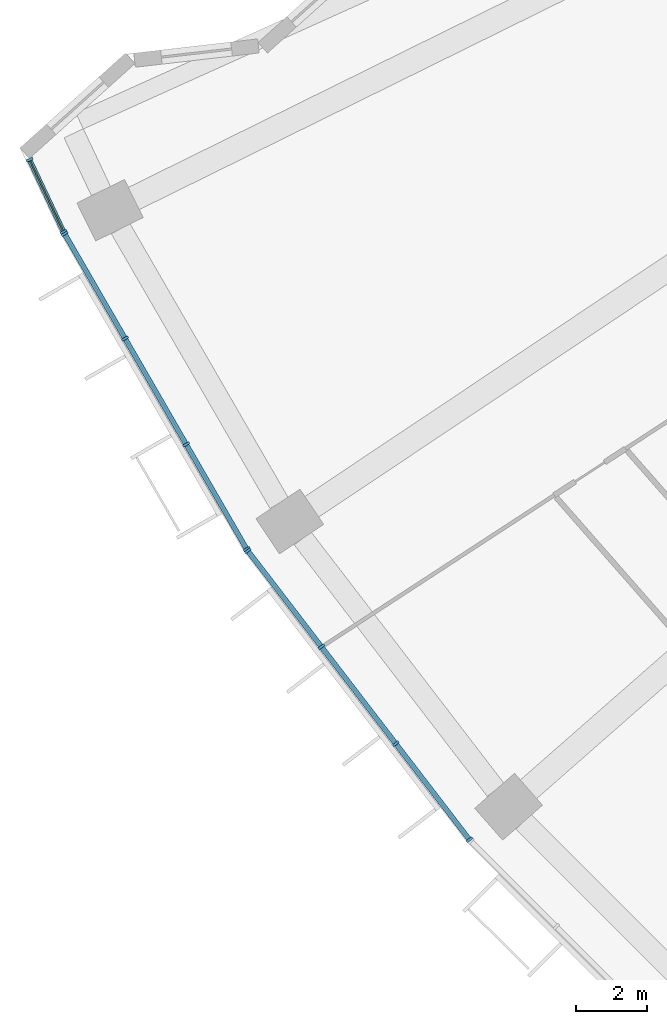
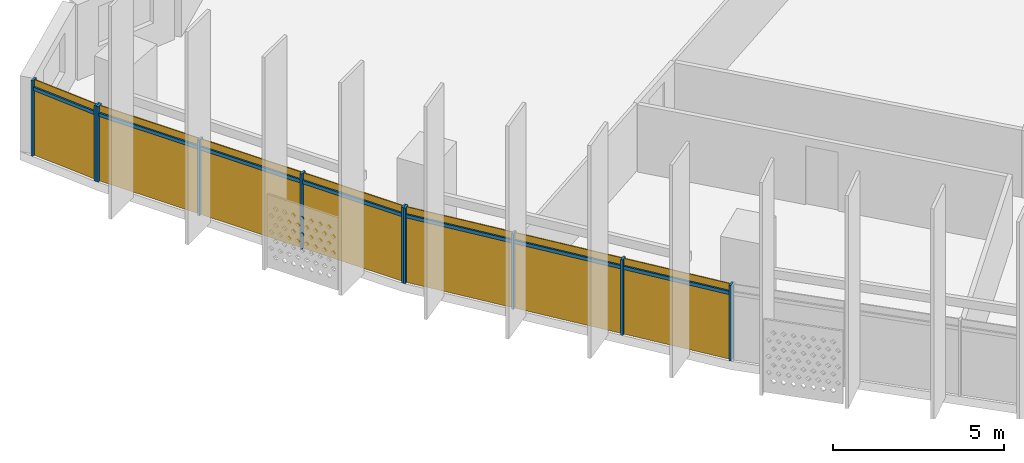
# One storey, part 20 of 30: 17 members, 3 curtain walls.
"""IFC4 building model written with IfcOpenShell, lengths in metres."""

from ifc_helpers import new_model, si_unit, direction, frame, origin, origin_2d, place, context, subcontext, project, spatial, rectangle, extrude, material, material_profile, profile_set, type_object, element, aggregate, save


model = new_model("IFC4")

# Units and contexts
model_context = context("Model", 3, precision=1e-05, world=origin(), true_north=direction((0.0, 1.0)))
body_context = subcontext(model_context, "Body", "Model", "MODEL_VIEW")
ifc_project = project(units=[si_unit("LENGTHUNIT", "METRE"), si_unit("AREAUNIT", "SQUARE_METRE"), si_unit("VOLUMEUNIT", "CUBIC_METRE"), si_unit("PLANEANGLEUNIT", "RADIAN"), si_unit("MASSUNIT", "GRAM", prefix="KILO")], contexts=[model_context])

# Member
ifc_material = material(Name="Aluminium 6063-T6 anodised", Category="aluminium")
ifc_material_profile_1 = material_profile(ifc_material, rectangle(XDim=0.199951171875, YDim=0.070068359375, at=origin_2d()))
ifc_profile_set_1 = profile_set([ifc_material_profile_1], Name="Aluminium 6063-T6 anodised")
member_type_1 = type_object("IfcMemberType", Name="Mullion 70 x 200 aluminium", PredefinedType="MULLION", material=ifc_profile_set_1)
site_placement = place(None, origin())
building_placement = place(site_placement, origin())
storey_placement = place(building_placement, frame((0.0, 0.0, 117.699951171875)))
member_1_placement = place(storey_placement, frame((-72.00927734375, -32.959716796875, 0.0), z_axis=(0.0, 0.0, 1.0), x_axis=(0.904299955418, 0.426897634839, 0.0)))
member_1 = element("IfcMember", 1, at=member_1_placement, type_object=member_type_1, Name="e-cw1-L26-out00/M00", PredefinedType="MULLION", context=body_context, shape_type="SweptSolid", body=[
    extrude(rectangle(XDim=0.199951171875, YDim=0.070068359375, at=origin_2d()), origin(), (0.0, 0.0, 1.0), 2.699951171875),
])

member_2_placement = place(storey_placement, frame((-71.046630859375, -34.999267578125, 0.0), z_axis=(0.0, 0.0, 1.0), x_axis=(0.904299955418, 0.426897634839, 0.0)))
member_2 = element("IfcMember", 2, at=member_2_placement, type_object=member_type_1, Name="e-cw1-L26-out00/M01", PredefinedType="MULLION", context=body_context, shape_type="SweptSolid", body=[
    extrude(rectangle(XDim=0.199951171875, YDim=0.070068359375, at=origin_2d()), origin(), (0.0, 0.0, 1.0), 2.699951171875),
])

member_3_placement = place(storey_placement, frame((-71.017822265625, -35.0537109375, 0.0), z_axis=(0.0, 0.0, 1.0), x_axis=(0.866025403784, 0.5, 0.0)))
member_3 = element("IfcMember", 3, at=member_3_placement, type_object=member_type_1, Name="e-cw1-L26-out01/M00", PredefinedType="MULLION", context=body_context, shape_type="SweptSolid", body=[
    extrude(rectangle(XDim=0.199951171875, YDim=0.070068359375, at=origin_2d()), origin(), (0.0, 0.0, 1.0), 2.699951171875),
])

member_4_placement = place(storey_placement, frame((-69.306640625, -38.017822265625, 0.0), z_axis=(0.0, 0.0, 1.0), x_axis=(0.866025403784, 0.5, 0.0)))
member_4 = element("IfcMember", 4, at=member_4_placement, type_object=member_type_1, Name="e-cw1-L26-out01/M01", PredefinedType="MULLION", context=body_context, shape_type="SweptSolid", body=[
    extrude(rectangle(XDim=0.199951171875, YDim=0.070068359375, at=origin_2d()), origin(), (0.0, 0.0, 1.0), 2.699951171875),
])

member_5_placement = place(storey_placement, frame((-67.577880859375, -41.01220703125, 0.0), z_axis=(0.0, 0.0, 1.0), x_axis=(0.866025403784, 0.5, 0.0)))
member_5 = element("IfcMember", 5, at=member_5_placement, type_object=member_type_1, Name="e-cw1-L26-out01/M02", PredefinedType="MULLION", context=body_context, shape_type="SweptSolid", body=[
    extrude(rectangle(XDim=0.199951171875, YDim=0.070068359375, at=origin_2d()), origin(), (0.0, 0.0, 1.0), 2.699951171875),
])

member_6_placement = place(storey_placement, frame((-65.866455078125, -43.976318359375, 0.0), z_axis=(0.0, 0.0, 1.0), x_axis=(0.866025403784, 0.5, 0.0)))
member_6 = element("IfcMember", 6, at=member_6_placement, type_object=member_type_1, Name="e-cw1-L26-out01/M03", PredefinedType="MULLION", context=body_context, shape_type="SweptSolid", body=[
    extrude(rectangle(XDim=0.199951171875, YDim=0.070068359375, at=origin_2d()), origin(), (0.0, 0.0, 1.0), 2.699951171875),
])

member_7_placement = place(storey_placement, frame((-65.8349609375, -44.023681640625, 0.0), z_axis=(0.0, 0.0, 1.0), x_axis=(0.793353340291, 0.608761429009, 0.0)))
member_7 = element("IfcMember", 7, at=member_7_placement, type_object=member_type_1, Name="e-cw1-L26-out02/M00", PredefinedType="MULLION", context=body_context, shape_type="SweptSolid", body=[
    extrude(rectangle(XDim=0.199951171875, YDim=0.070068359375, at=origin_2d()), origin(), (0.0, 0.0, 1.0), 2.699951171875),
])

member_8_placement = place(storey_placement, frame((-63.751220703125, -46.739013671875, 0.0), z_axis=(0.0, 0.0, 1.0), x_axis=(0.793353340291, 0.608761429009, 0.0)))
member_8 = element("IfcMember", 8, at=member_8_placement, type_object=member_type_1, Name="e-cw1-L26-out02/M01", PredefinedType="MULLION", context=body_context, shape_type="SweptSolid", body=[
    extrude(rectangle(XDim=0.199951171875, YDim=0.070068359375, at=origin_2d()), origin(), (0.0, 0.0, 1.0), 2.699951171875),
])

member_9_placement = place(storey_placement, frame((-61.646484375, -49.482177734375, 0.0), z_axis=(0.0, 0.0, 1.0), x_axis=(0.793353340291, 0.608761429009, 0.0)))
member_9 = element("IfcMember", 9, at=member_9_placement, type_object=member_type_1, Name="e-cw1-L26-out02/M02", PredefinedType="MULLION", context=body_context, shape_type="SweptSolid", body=[
    extrude(rectangle(XDim=0.199951171875, YDim=0.070068359375, at=origin_2d()), origin(), (0.0, 0.0, 1.0), 2.699951171875),
])

member_10_placement = place(storey_placement, frame((-59.56298828125, -52.197509765625, 0.0), z_axis=(0.0, 0.0, 1.0), x_axis=(0.793353340291, 0.608761429009, 0.0)))
member_10 = element("IfcMember", 10, at=member_10_placement, type_object=member_type_1, Name="e-cw1-L26-out02/M03", PredefinedType="MULLION", context=body_context, shape_type="SweptSolid", body=[
    extrude(rectangle(XDim=0.199951171875, YDim=0.070068359375, at=origin_2d()), origin(), (0.0, 0.0, 1.0), 2.699951171875),
])

ifc_material_profile_2 = material_profile(ifc_material, rectangle(XDim=0.139892578125, YDim=0.1201171875, at=origin_2d()))
ifc_profile_set_2 = profile_set([ifc_material_profile_2], Name="Aluminium 6063-T6 anodised")
member_type_2 = type_object("IfcMemberType", Name="Transom 120 x 140 aluminium", PredefinedType="USERDEFINED", material=ifc_profile_set_2)
member_11_placement = place(storey_placement, frame((-71.994384765625, -32.991455078125, 2.400146484375), z_axis=(0.426899723511, -0.904298969405, 0.0), x_axis=(0.904298969405, 0.426899723511, 0.0)))
member_11 = element("IfcMember", 11, at=member_11_placement, type_object=member_type_2, Name="e-cw1-L26-out00/T00", ObjectType="TRANSOM", PredefinedType="USERDEFINED", context=body_context, shape_type="SweptSolid", body=[
    extrude(rectangle(XDim=0.139892578125, YDim=0.1201171875, at=origin_2d()), origin(), (0.0, 0.0, 1.0), 2.185302734375),
])

member_12_placement = place(storey_placement, frame((-71.00048828125, -35.084228515625, 2.400146484375), z_axis=(0.50006283963, -0.865989120267, 0.0), x_axis=(0.865989120267, 0.50006283963, 0.0)))
member_12 = element("IfcMember", 12, at=member_12_placement, type_object=member_type_2, Name="e-cw1-L26-out01/T00", ObjectType="TRANSOM", PredefinedType="USERDEFINED", context=body_context, shape_type="SweptSolid", body=[
    extrude(rectangle(XDim=0.139892578125, YDim=0.1201171875, at=origin_2d()), origin(), (0.0, 0.0, 1.0), 3.3525390625),
])

member_13_placement = place(storey_placement, frame((-69.2890625, -38.048095703125, 2.400146484375), z_axis=(0.499999017107, -0.866025971257, 0.0), x_axis=(0.866025971257, 0.499999017107, 0.0)))
member_13 = element("IfcMember", 13, at=member_13_placement, type_object=member_type_2, Name="e-cw1-L26-out01/T01", ObjectType="TRANSOM", PredefinedType="USERDEFINED", context=body_context, shape_type="SweptSolid", body=[
    extrude(rectangle(XDim=0.139892578125, YDim=0.1201171875, at=origin_2d()), origin(), (0.0, 0.0, 1.0), 3.3876953125),
])

member_14_placement = place(storey_placement, frame((-67.560302734375, -41.042724609375, 2.400146484375), z_axis=(0.50000822536, -0.866020654818, 0.0), x_axis=(0.866020654818, 0.50000822536, 0.0)))
member_14 = element("IfcMember", 14, at=member_14_placement, type_object=member_type_2, Name="e-cw1-L26-out01/T02", ObjectType="TRANSOM", PredefinedType="USERDEFINED", context=body_context, shape_type="SweptSolid", body=[
    extrude(rectangle(XDim=0.139892578125, YDim=0.1201171875, at=origin_2d()), origin(), (0.0, 0.0, 1.0), 3.3525390625),
])

member_15_placement = place(storey_placement, frame((-65.8134765625, -44.05126953125, 2.400146484375), z_axis=(0.608714331426, -0.793389477316, 0.0), x_axis=(0.793389477316, 0.608714331426, 0.0)))
member_15 = element("IfcMember", 15, at=member_15_placement, type_object=member_type_2, Name="e-cw1-L26-out02/T00", ObjectType="TRANSOM", PredefinedType="USERDEFINED", context=body_context, shape_type="SweptSolid", body=[
    extrude(rectangle(XDim=0.139892578125, YDim=0.1201171875, at=origin_2d()), origin(), (0.0, 0.0, 1.0), 3.3525390625),
])

member_16_placement = place(storey_placement, frame((-63.72998046875, -46.766845703125, 2.400146484375), z_axis=(0.608773427772, -0.793344133173, 0.0), x_axis=(0.793344133173, 0.608773427772, 0.0)))
member_16 = element("IfcMember", 16, at=member_16_placement, type_object=member_type_2, Name="e-cw1-L26-out02/T01", ObjectType="TRANSOM", PredefinedType="USERDEFINED", context=body_context, shape_type="SweptSolid", body=[
    extrude(rectangle(XDim=0.139892578125, YDim=0.1201171875, at=origin_2d()), origin(), (0.0, 0.0, 1.0), 3.387451171875),
])

member_17_placement = place(storey_placement, frame((-61.625244140625, -49.509765625, 2.400146484375), z_axis=(0.608760167055, -0.793354308621, 0.0), x_axis=(0.793354308621, 0.608760167055, 0.0)))
member_17 = element("IfcMember", 17, at=member_17_placement, type_object=member_type_2, Name="e-cw1-L26-out02/T02", ObjectType="TRANSOM", PredefinedType="USERDEFINED", context=body_context, shape_type="SweptSolid", body=[
    extrude(rectangle(XDim=0.139892578125, YDim=0.1201171875, at=origin_2d()), origin(), (0.0, 0.0, 1.0), 3.352783203125),
])

# Site, building, storey
site = spatial("IfcSite", under=ifc_project, at=site_placement, CompositionType="ELEMENT")
building = spatial("IfcBuilding", under=site, at=building_placement, Name="Qamariyya Broadcast Tower", CompositionType="ELEMENT")
storey = spatial("IfcBuildingStorey", under=building, at=storey_placement, Name="L26", CompositionType="ELEMENT", Elevation=117.699951171875)

# Curtain wall
curtain_wall_type = type_object("IfcCurtainWallType", Name="Unitised curtain wall, anodised aluminium", PredefinedType="NOTDEFINED", material=ifc_material)
curtain_wall_1_placement = place(storey_placement, origin())
curtain_wall_1 = element("IfcCurtainWall", 18, at=curtain_wall_1_placement, inside=storey, type_object=curtain_wall_type, Name="e-cw1-L26-out00", PredefinedType="NOTDEFINED", context=body_context, shape_type="SweptSolid", body=[
    extrude(rectangle(XDim=2.185302734375, YDim=0.031982421875, at=origin_2d()), frame((-71.52783203125, -33.9794921875, 0.0), x_axis=(0.426898991584, -0.904299314931, 0.0)), (0.0, 0.0, 1.0), 2.340087890625),
    extrude(rectangle(XDim=2.185302734375, YDim=0.031982421875, at=origin_2d()), frame((-71.52783203125, -33.9794921875, 2.4599609375), x_axis=(0.426898991584, -0.904299314931, 0.0)), (0.0, 0.0, 1.0), 0.239990234375),
])

aggregate(curtain_wall_1, [member_1, member_2, member_11])

curtain_wall_2_placement = place(storey_placement, origin())
curtain_wall_2 = element("IfcCurtainWall", 19, at=curtain_wall_2_placement, inside=storey, type_object=curtain_wall_type, Name="e-cw1-L26-out01", PredefinedType="NOTDEFINED", context=body_context, shape_type="SweptSolid", body=[
    extrude(rectangle(XDim=3.352783203125, YDim=0.031982421875, at=origin_2d()), frame((-70.162109375, -36.535888671875, 0.0), x_axis=(0.499996813733, -0.866027243369, 0.0)), (0.0, 0.0, 1.0), 2.340087890625),
    extrude(rectangle(XDim=3.352783203125, YDim=0.031982421875, at=origin_2d()), frame((-70.162109375, -36.535888671875, 2.4599609375), x_axis=(0.499996813733, -0.866027243369, 0.0)), (0.0, 0.0, 1.0), 0.239990234375),
    extrude(rectangle(XDim=3.3876953125, YDim=0.031982421875, at=origin_2d()), frame((-68.442138671875, -39.51513671875, 0.0), x_axis=(0.499996813733, -0.866027243369, 0.0)), (0.0, 0.0, 1.0), 2.340087890625),
    extrude(rectangle(XDim=3.3876953125, YDim=0.031982421875, at=origin_2d()), frame((-68.442138671875, -39.51513671875, 2.4599609375), x_axis=(0.499996813733, -0.866027243369, 0.0)), (0.0, 0.0, 1.0), 0.239990234375),
    extrude(rectangle(XDim=3.352783203125, YDim=0.031982421875, at=origin_2d()), frame((-66.72216796875, -42.494384765625, 0.0), x_axis=(0.499996813733, -0.866027243369, 0.0)), (0.0, 0.0, 1.0), 2.340087890625),
    extrude(rectangle(XDim=3.352783203125, YDim=0.031982421875, at=origin_2d()), frame((-66.72216796875, -42.494384765625, 2.4599609375), x_axis=(0.499996813733, -0.866027243369, 0.0)), (0.0, 0.0, 1.0), 0.239990234375),
])

aggregate(curtain_wall_2, [member_3, member_4, member_5, member_6, member_12, member_13, member_14])

curtain_wall_3_placement = place(storey_placement, origin())
curtain_wall_3 = element("IfcCurtainWall", 20, at=curtain_wall_3_placement, inside=storey, type_object=curtain_wall_type, Name="e-cw1-L26-out02", PredefinedType="NOTDEFINED", context=body_context, shape_type="SweptSolid", body=[
    extrude(rectangle(XDim=3.352783203125, YDim=0.031982421875, at=origin_2d()), frame((-64.793212890625, -45.38134765625, 0.0), x_axis=(0.608760568165, -0.793354000839, 0.0)), (0.0, 0.0, 1.0), 2.340087890625),
    extrude(rectangle(XDim=3.352783203125, YDim=0.031982421875, at=origin_2d()), frame((-64.793212890625, -45.38134765625, 2.4599609375), x_axis=(0.608760568165, -0.793354000839, 0.0)), (0.0, 0.0, 1.0), 0.239990234375),
    extrude(rectangle(XDim=3.3876953125, YDim=0.031982421875, at=origin_2d()), frame((-62.69873046875, -48.110595703125, 0.0), x_axis=(0.608760568165, -0.793354000839, 0.0)), (0.0, 0.0, 1.0), 2.340087890625),
    extrude(rectangle(XDim=3.3876953125, YDim=0.031982421875, at=origin_2d()), frame((-62.69873046875, -48.110595703125, 2.4599609375), x_axis=(0.608760568165, -0.793354000839, 0.0)), (0.0, 0.0, 1.0), 0.239990234375),
    extrude(rectangle(XDim=3.352783203125, YDim=0.031982421875, at=origin_2d()), frame((-60.6044921875, -50.83984375, 0.0), x_axis=(0.608760568165, -0.793354000839, 0.0)), (0.0, 0.0, 1.0), 2.340087890625),
    extrude(rectangle(XDim=3.352783203125, YDim=0.031982421875, at=origin_2d()), frame((-60.6044921875, -50.83984375, 2.4599609375), x_axis=(0.608760568165, -0.793354000839, 0.0)), (0.0, 0.0, 1.0), 0.239990234375),
])

aggregate(curtain_wall_3, [member_7, member_8, member_9, member_10, member_15, member_16, member_17])

save(model, "model.ifc")
